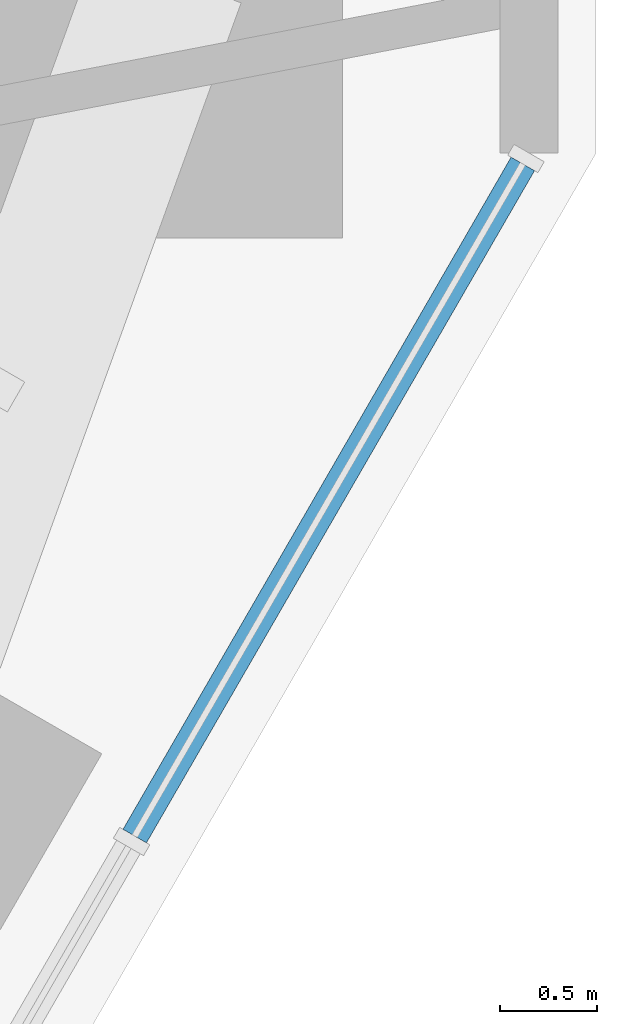
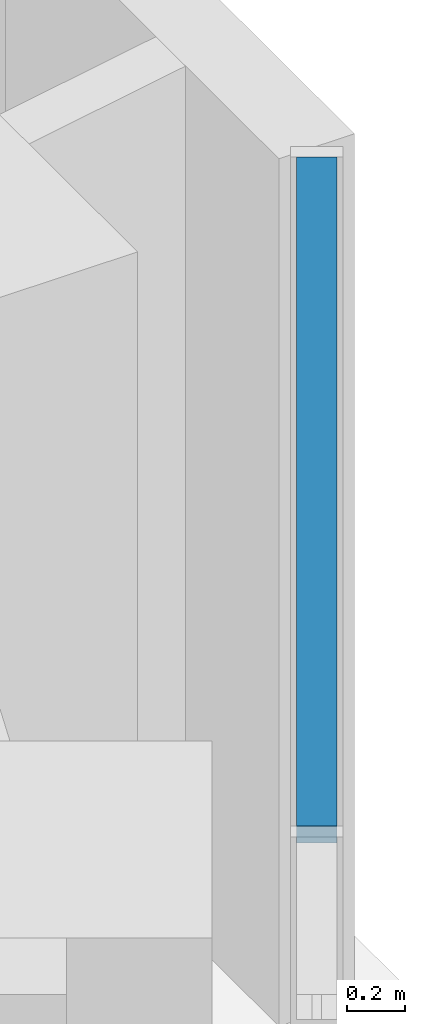
# One storey, part 6 of 17: 1 member, 1 element without a shape of its own.
"""IFC4 building model written with IfcOpenShell, lengths in metres."""

from ifc_helpers import new_model, si_unit, direction, frame, origin, origin_2d, place, context, subcontext, project, spatial, rectangle, extrude, material, material_profile, profile_set, type_object, element, aggregate, save


model = new_model("IFC4")

# Units and contexts
model_context = context("Model", 3, precision=1e-05, world=origin(), true_north=direction((0.0, 1.0)))
body_context = subcontext(model_context, "Body", "Model", "MODEL_VIEW")
ifc_project = project(units=[si_unit("LENGTHUNIT", "METRE"), si_unit("AREAUNIT", "SQUARE_METRE"), si_unit("VOLUMEUNIT", "CUBIC_METRE"), si_unit("PLANEANGLEUNIT", "RADIAN"), si_unit("MASSUNIT", "GRAM", prefix="KILO")], contexts=[model_context])

# Site, building, storey
site_placement = place(None, origin())
site = spatial("IfcSite", under=ifc_project, at=site_placement, CompositionType="ELEMENT")
building_placement = place(site_placement, origin())
building = spatial("IfcBuilding", under=site, at=building_placement, Name="Sandreach Pilgrim Tower", CompositionType="ELEMENT")
storey_placement = place(building_placement, frame((0.0, 0.0, 104.39990234375)))
storey = spatial("IfcBuildingStorey", under=building, at=storey_placement, Name="L25", CompositionType="ELEMENT", Elevation=104.39990234375)

# Curtain wall, member
ifc_material_1 = material(Name="Aluminium framed curtain wall", Category="aluminium")
curtain_wall_type = type_object("IfcCurtainWallType", Name="Hotel tower curtain wall", PredefinedType="NOTDEFINED", material=ifc_material_1)
curtain_wall_placement = place(storey_placement, origin())
curtain_wall = element("IfcCurtainWall", 1, at=curtain_wall_placement, inside=storey, type_object=curtain_wall_type, Name="CW-2 L25 SE", PredefinedType="NOTDEFINED")
ifc_material_2 = material(Name="Aluminium extrusion", Category="aluminium")
ifc_material_profile = material_profile(ifc_material_2, rectangle(XDim=0.139892578125, YDim=0.070068359375, at=origin_2d()), Name="CW-2T 140X70")
ifc_profile_set = profile_set([ifc_material_profile], Name="Aluminium extrusion")
member_type = type_object("IfcMemberType", Name="CW-2 transom", PredefinedType="USERDEFINED", material=ifc_profile_set)
member_placement = place(storey_placement, frame((28.6884765625, 4.7021484375, 3.60498046875), z_axis=(-0.500015851672, -0.866016251624, 0.0), x_axis=(0.866016251624, -0.500015851672, 0.0)))
member = element("IfcMember", 2, at=member_placement, type_object=member_type, Name="CW-2 head transom 1", ObjectType="TRANSOM", PredefinedType="USERDEFINED", context=body_context, shape_type="SweptSolid", body=[
    extrude(rectangle(XDim=0.139892578125, YDim=0.070068359375, at=origin_2d()), origin(), (0.0, 0.0, 1.0), 4.009521484375),
])
aggregate(curtain_wall, [member])

save(model, "model.ifc")
